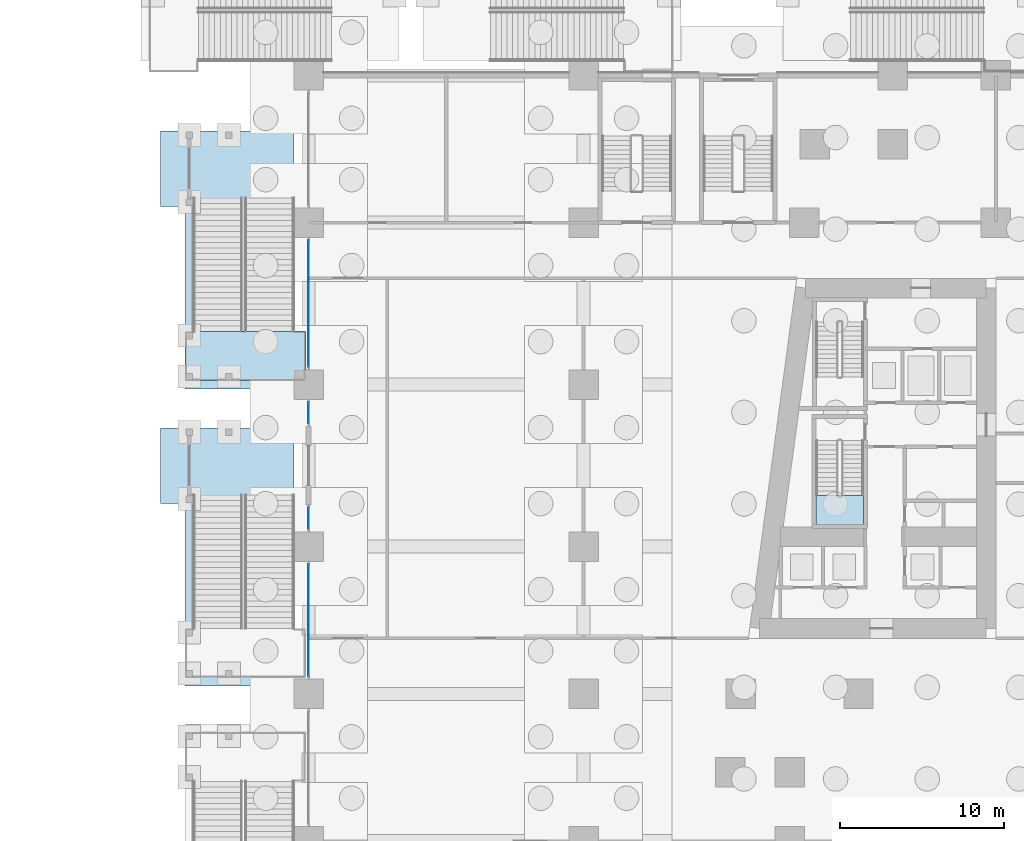
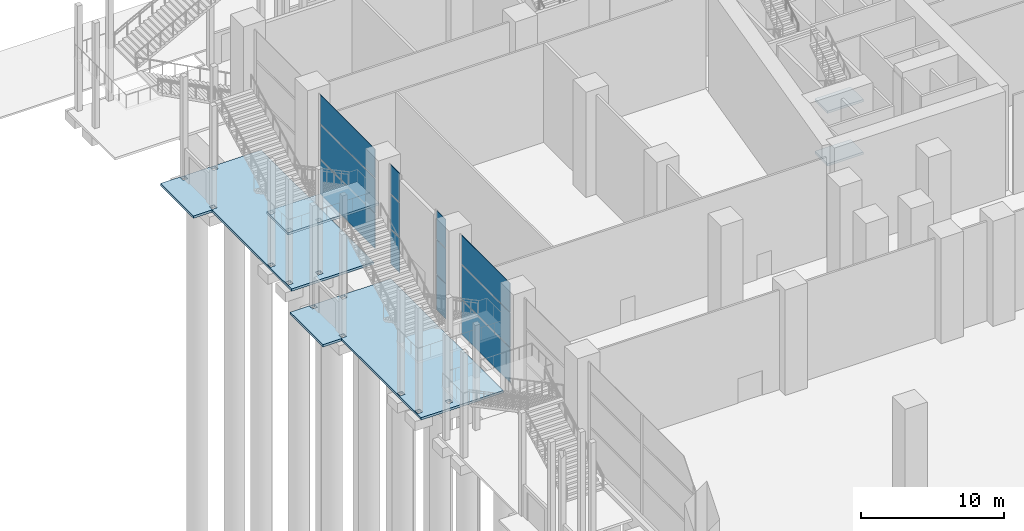
# One storey, part 35 of 72: 12 plates, 5 slabs, 6 elements without a shape of their own.
"""IFC4 building model written with IfcOpenShell, lengths in metres."""

from ifc_helpers import new_model, si_unit, direction, frame, origin, origin_2d, place, context, subcontext, project, spatial, polyline, rectangle, outline, extrude, material, layer, layer_set, type_object, element, aggregate, save


model = new_model("IFC4")

# Units and contexts
model_context = context("Model", 3, precision=1e-05, world=origin(), true_north=direction((0.0, 1.0)))
body_context = subcontext(model_context, "Body", "Model", "MODEL_VIEW")
ifc_project = project(units=[si_unit("LENGTHUNIT", "METRE"), si_unit("AREAUNIT", "SQUARE_METRE"), si_unit("VOLUMEUNIT", "CUBIC_METRE"), si_unit("PLANEANGLEUNIT", "RADIAN"), si_unit("MASSUNIT", "GRAM", prefix="KILO")], contexts=[model_context])

# Site, building, storey
site_placement = place(None, origin())
site = spatial("IfcSite", under=ifc_project, at=site_placement, CompositionType="ELEMENT")
building_placement = place(site_placement, origin())
building = spatial("IfcBuilding", under=site, at=building_placement, Name="Candeia Pilgrim Tower and Theatre", CompositionType="ELEMENT")
storey_placement = place(building_placement, origin())
storey = spatial("IfcBuildingStorey", under=building, at=storey_placement, Name="L00", CompositionType="ELEMENT", Elevation=0.0)

# Curtain wall, plates
ifc_material_1 = material(Name="Aluminium framed podium glazing", Category="aluminium")
curtain_wall_type = type_object("IfcCurtainWallType", Name="CW-P curtain wall", PredefinedType="NOTDEFINED", material=ifc_material_1)
curtain_wall_1_placement = place(storey_placement, origin())
curtain_wall_1 = element("IfcCurtainWall", 1, at=curtain_wall_1_placement, inside=storey, type_object=curtain_wall_type, Name="Curtain wall CW-P L00.030", PredefinedType="NOTDEFINED")
ifc_material_2 = material(Name="Laminated low-iron glass 2 x 8 mm", Category="glass")
ifc_layer_1 = layer(ifc_material_2, 0.035888671875)
ifc_layer_set_1 = layer_set([ifc_layer_1], Name="CW-P glass panel 36")
plate_type = type_object("IfcPlateType", Name="CW-P glass panel 36", PredefinedType="CURTAIN_PANEL", material=ifc_layer_set_1)
plate_1_placement = place(storey_placement, frame((58.800048828125, 111.5, 0.0), z_axis=(0.0, 0.0, 1.0), x_axis=(0.0, 1.0, 0.0)))
plate_1 = element("IfcPlate", 2, at=plate_1_placement, type_object=plate_type, Name="CW-P panel 1.1", PredefinedType="CURTAIN_PANEL", context=body_context, shape_type="SweptSolid", body=[
    extrude(rectangle(XDim=6.820068359375, YDim=0.035888671875, at=origin_2d()), origin(), (0.0, 0.0, 1.0), 2.9599609375),
])
plate_2_placement = place(storey_placement, frame((58.800048828125, 111.5, 3.0400390625), z_axis=(0.0, 0.0, 1.0), x_axis=(0.0, 1.0, 0.0)))
plate_2 = element("IfcPlate", 3, at=plate_2_placement, type_object=plate_type, Name="CW-P panel 1.2", PredefinedType="CURTAIN_PANEL", context=body_context, shape_type="SweptSolid", body=[
    extrude(rectangle(XDim=6.820068359375, YDim=0.035888671875, at=origin_2d()), origin(), (0.0, 0.0, 1.0), 2.919921875),
])
plate_3_placement = place(storey_placement, frame((58.800048828125, 111.5, 6.0400390625), z_axis=(0.0, 0.0, 1.0), x_axis=(0.0, 1.0, 0.0)))
plate_3 = element("IfcPlate", 4, at=plate_3_placement, type_object=plate_type, Name="CW-P panel 1.3", PredefinedType="CURTAIN_PANEL", context=body_context, shape_type="SweptSolid", body=[
    extrude(rectangle(XDim=6.820068359375, YDim=0.035888671875, at=origin_2d()), origin(), (0.0, 0.0, 1.0), 2.4599609375),
])
aggregate(curtain_wall_1, [plate_1, plate_2, plate_3])

curtain_wall_2_placement = place(storey_placement, origin())
curtain_wall_2 = element("IfcCurtainWall", 5, at=curtain_wall_2_placement, inside=storey, type_object=curtain_wall_type, Name="Curtain wall CW-P L00.040", PredefinedType="NOTDEFINED")
plate_4_placement = place(storey_placement, frame((58.800048828125, 117.72509765625, 0.0), z_axis=(0.0, 0.0, 1.0), x_axis=(0.0, 1.0, 0.0)))
plate_4 = element("IfcPlate", 6, at=plate_4_placement, type_object=plate_type, Name="CW-P panel 1.1", PredefinedType="CURTAIN_PANEL", context=body_context, shape_type="SweptSolid", body=[
    extrude(rectangle(XDim=1.27001953125, YDim=0.035888671875, at=origin_2d()), origin(), (0.0, 0.0, 1.0), 2.9599609375),
])
plate_5_placement = place(storey_placement, frame((58.800048828125, 117.72509765625, 3.0400390625), z_axis=(0.0, 0.0, 1.0), x_axis=(0.0, 1.0, 0.0)))
plate_5 = element("IfcPlate", 7, at=plate_5_placement, type_object=plate_type, Name="CW-P panel 1.2", PredefinedType="CURTAIN_PANEL", context=body_context, shape_type="SweptSolid", body=[
    extrude(rectangle(XDim=1.27001953125, YDim=0.035888671875, at=origin_2d()), origin(), (0.0, 0.0, 1.0), 2.919921875),
])
plate_6_placement = place(storey_placement, frame((58.800048828125, 117.72509765625, 6.0400390625), z_axis=(0.0, 0.0, 1.0), x_axis=(0.0, 1.0, 0.0)))
plate_6 = element("IfcPlate", 8, at=plate_6_placement, type_object=plate_type, Name="CW-P panel 1.3", PredefinedType="CURTAIN_PANEL", context=body_context, shape_type="SweptSolid", body=[
    extrude(rectangle(XDim=1.27001953125, YDim=0.035888671875, at=origin_2d()), origin(), (0.0, 0.0, 1.0), 2.4599609375),
])
aggregate(curtain_wall_2, [plate_4, plate_5, plate_6])

curtain_wall_3_placement = place(storey_placement, origin())
curtain_wall_3 = element("IfcCurtainWall", 9, at=curtain_wall_3_placement, inside=storey, type_object=curtain_wall_type, Name="Curtain wall CW-P L00.041", PredefinedType="NOTDEFINED")
plate_7_placement = place(storey_placement, frame((58.800048828125, 124.175048828125, 0.0), z_axis=(0.0, 0.0, 1.0), x_axis=(0.0, 1.0, 0.0)))
plate_7 = element("IfcPlate", 10, at=plate_7_placement, type_object=plate_type, Name="CW-P panel 1.1", PredefinedType="CURTAIN_PANEL", context=body_context, shape_type="SweptSolid", body=[
    extrude(rectangle(XDim=1.27001953125, YDim=0.035888671875, at=origin_2d()), origin(), (0.0, 0.0, 1.0), 2.9599609375),
])
plate_8_placement = place(storey_placement, frame((58.800048828125, 124.175048828125, 3.0400390625), z_axis=(0.0, 0.0, 1.0), x_axis=(0.0, 1.0, 0.0)))
plate_8 = element("IfcPlate", 11, at=plate_8_placement, type_object=plate_type, Name="CW-P panel 1.2", PredefinedType="CURTAIN_PANEL", context=body_context, shape_type="SweptSolid", body=[
    extrude(rectangle(XDim=1.27001953125, YDim=0.035888671875, at=origin_2d()), origin(), (0.0, 0.0, 1.0), 2.919921875),
])
plate_9_placement = place(storey_placement, frame((58.800048828125, 124.175048828125, 6.0400390625), z_axis=(0.0, 0.0, 1.0), x_axis=(0.0, 1.0, 0.0)))
plate_9 = element("IfcPlate", 12, at=plate_9_placement, type_object=plate_type, Name="CW-P panel 1.3", PredefinedType="CURTAIN_PANEL", context=body_context, shape_type="SweptSolid", body=[
    extrude(rectangle(XDim=1.27001953125, YDim=0.035888671875, at=origin_2d()), origin(), (0.0, 0.0, 1.0), 2.4599609375),
])
aggregate(curtain_wall_3, [plate_7, plate_8, plate_9])

curtain_wall_4_placement = place(storey_placement, origin())
curtain_wall_4 = element("IfcCurtainWall", 13, at=curtain_wall_4_placement, inside=storey, type_object=curtain_wall_type, Name="Curtain wall CW-P L00.050", PredefinedType="NOTDEFINED")
plate_10_placement = place(storey_placement, frame((58.800048828125, 130.85009765625, 0.0), z_axis=(0.0, 0.0, 1.0), x_axis=(0.0, 1.0, 0.0)))
plate_10 = element("IfcPlate", 14, at=plate_10_placement, type_object=plate_type, Name="CW-P panel 1.1", PredefinedType="CURTAIN_PANEL", context=body_context, shape_type="SweptSolid", body=[
    extrude(rectangle(XDim=7.719970703125, YDim=0.035888671875, at=origin_2d()), origin(), (0.0, 0.0, 1.0), 2.9599609375),
])
plate_11_placement = place(storey_placement, frame((58.800048828125, 130.85009765625, 3.0400390625), z_axis=(0.0, 0.0, 1.0), x_axis=(0.0, 1.0, 0.0)))
plate_11 = element("IfcPlate", 15, at=plate_11_placement, type_object=plate_type, Name="CW-P panel 1.2", PredefinedType="CURTAIN_PANEL", context=body_context, shape_type="SweptSolid", body=[
    extrude(rectangle(XDim=7.719970703125, YDim=0.035888671875, at=origin_2d()), origin(), (0.0, 0.0, 1.0), 2.919921875),
])
plate_12_placement = place(storey_placement, frame((58.800048828125, 130.85009765625, 6.0400390625), z_axis=(0.0, 0.0, 1.0), x_axis=(0.0, 1.0, 0.0)))
plate_12 = element("IfcPlate", 16, at=plate_12_placement, type_object=plate_type, Name="CW-P panel 1.3", PredefinedType="CURTAIN_PANEL", context=body_context, shape_type="SweptSolid", body=[
    extrude(rectangle(XDim=7.719970703125, YDim=0.035888671875, at=origin_2d()), origin(), (0.0, 0.0, 1.0), 2.4599609375),
])
aggregate(curtain_wall_4, [plate_10, plate_11, plate_12])

# Stair, slab
ifc_material_3 = material(Name="Concrete C40/50", Category="concrete")
stair_type_1 = type_object("IfcStairType", Name="ST-EXT external escape stair", PredefinedType="HALF_TURN_STAIR", material=ifc_material_3)
stair_1_placement = place(storey_placement, origin())
stair_1 = element("IfcStair", 17, at=stair_1_placement, inside=storey, type_object=stair_type_1, Name="L00 External escape stair ES13", PredefinedType="HALF_TURN_STAIR")
ifc_layer_2 = layer(ifc_material_3, 0.199951171875)
ifc_layer_set_2 = layer_set([ifc_layer_2], Name="SL-EXT stair landing")
slab_type_1 = type_object("IfcSlabType", Name="SL-EXT stair landing", PredefinedType="LANDING", material=ifc_layer_set_2)
slab_1_placement = place(storey_placement, frame((0.0, 0.0, 4.300048828125)))
slab_1 = element("IfcSlab", 18, at=slab_1_placement, type_object=slab_type_1, Name="L00 External escape stair ES13 landing", PredefinedType="LANDING", context=body_context, shape_type="SweptSolid", body=[
    extrude(outline(polyline([(58.60009765625, 129.159912109375), (58.60009765625, 126.139892578125), (51.25, 126.139892578125), (51.25, 129.159912109375), (58.60009765625, 129.159912109375)]), holes=[polyline([(51.300048828125, 128.68994140625), (51.699951171875, 128.68994140625), (51.699951171875, 129.090087890625), (51.300048828125, 129.090087890625), (51.300048828125, 128.68994140625)]), polyline([(51.300048828125, 126.18994140625), (51.699951171875, 126.18994140625), (51.699951171875, 126.590087890625), (51.300048828125, 126.590087890625), (51.300048828125, 126.18994140625)]), polyline([(53.72509765625, 126.18994140625), (54.125, 126.18994140625), (54.125, 126.590087890625), (53.72509765625, 126.590087890625), (53.72509765625, 126.18994140625)])]), origin(), (0.0, 0.0, 1.0), 0.199951171875),
])
aggregate(stair_1, [slab_1])

# Stair, slabs
stair_type_2 = type_object("IfcStairType", Name="ST-TWR dog-leg escape stair", PredefinedType="HALF_TURN_STAIR", material=ifc_material_3)
stair_2_placement = place(storey_placement, origin())
stair_2 = element("IfcStair", 19, at=stair_2_placement, inside=storey, type_object=stair_type_2, Name="L00 Escape stair ST1", PredefinedType="HALF_TURN_STAIR")
ifc_layer_3 = layer(ifc_material_3, 0.199951171875)
ifc_layer_set_3 = layer_set([ifc_layer_3], Name="SL-LANDING stair landing")
slab_type_2 = type_object("IfcSlabType", Name="SL-LANDING stair landing", PredefinedType="LANDING", material=ifc_layer_set_3)
slab_2_placement = place(storey_placement, frame((0.0, 0.0, 2.050048828125)))
slab_2 = element("IfcSlab", 20, at=slab_2_placement, type_object=slab_type_2, Name="ST1 landing 1", PredefinedType="LANDING", context=body_context, shape_type="SweptSolid", body=[
    extrude(outline(polyline([(89.802001953125, 119.114990234375), (89.802001953125, 117.324951171875), (92.701904296875, 117.324951171875), (92.701904296875, 119.114990234375), (89.802001953125, 119.114990234375)])), origin(), (0.0, 0.0, 1.0), 0.199951171875),
])
slab_3_placement = place(storey_placement, frame((0.0, 0.0, 6.550048828125)))
slab_3 = element("IfcSlab", 21, at=slab_3_placement, type_object=slab_type_2, Name="ST1 landing 3", PredefinedType="LANDING", context=body_context, shape_type="SweptSolid", body=[
    extrude(outline(polyline([(89.802001953125, 119.114990234375), (89.802001953125, 117.324951171875), (92.701904296875, 117.324951171875), (92.701904296875, 119.114990234375), (89.802001953125, 119.114990234375)])), origin(), (0.0, 0.0, 1.0), 0.199951171875),
])
aggregate(stair_2, [slab_2, slab_3])

# Slabs
ifc_material_4 = material(Name="Concrete C35/45", Category="concrete")
ifc_layer_4 = layer(ifc_material_4, 0.199951171875)
ifc_layer_set_4 = layer_set([ifc_layer_4], Name="Stair ground slab 200")
slab_type_3 = type_object("IfcSlabType", Name="Stair ground slab 200", PredefinedType="BASESLAB", material=ifc_layer_set_4)
slab_4_placement = place(storey_placement, frame((0.0, 0.0, -0.199951171875)))
element("IfcSlab", 22, at=slab_4_placement, inside=storey, type_object=slab_type_3, Name="External escape stair ES13 ground slab", PredefinedType="BASESLAB", context=body_context, shape_type="SweptSolid", body=[
    extrude(outline(polyline([(51.25, 125.639892578125), (51.25, 136.800048828125), (49.75, 136.800048828125), (49.75, 141.39990234375), (57.89990234375, 141.39990234375), (57.89990234375, 137.300048828125), (57.89990234375, 136.800048828125), (57.89990234375, 125.639892578125), (51.25, 125.639892578125)]), holes=[polyline([(51.699951171875, 126.18994140625), (51.699951171875, 126.590087890625), (51.300048828125, 126.590087890625), (51.300048828125, 126.18994140625), (51.699951171875, 126.18994140625)]), polyline([(53.72509765625, 126.18994140625), (54.125, 126.18994140625), (54.125, 126.590087890625), (53.72509765625, 126.590087890625), (53.72509765625, 126.18994140625)]), polyline([(51.300048828125, 128.68994140625), (51.699951171875, 128.68994140625), (51.699951171875, 129.090087890625), (51.300048828125, 129.090087890625), (51.300048828125, 128.68994140625)]), polyline([(51.699951171875, 136.85009765625), (51.699951171875, 137.25), (51.300048828125, 137.25), (51.300048828125, 136.85009765625), (51.699951171875, 136.85009765625)]), polyline([(51.300048828125, 140.949951171875), (51.699951171875, 140.949951171875), (51.699951171875, 141.35009765625), (51.300048828125, 141.35009765625), (51.300048828125, 140.949951171875)]), polyline([(53.72509765625, 140.949951171875), (54.125, 140.949951171875), (54.125, 141.35009765625), (53.72509765625, 141.35009765625), (53.72509765625, 140.949951171875)])]), origin(), (0.0, 0.0, 1.0), 0.199951171875),
])
slab_5_placement = place(storey_placement, frame((0.0, 0.0, -0.199951171875)))
element("IfcSlab", 23, at=slab_5_placement, inside=storey, type_object=slab_type_3, Name="External escape stair ES15 ground slab", PredefinedType="BASESLAB", context=body_context, shape_type="SweptSolid", body=[
    extrude(outline(polyline([(51.25, 107.489990234375), (51.25, 118.64990234375), (49.75, 118.64990234375), (49.75, 123.25), (57.89990234375, 123.25), (57.89990234375, 119.14990234375), (57.89990234375, 118.64990234375), (57.89990234375, 107.489990234375), (51.25, 107.489990234375)]), holes=[polyline([(51.699951171875, 108.0400390625), (51.699951171875, 108.43994140625), (51.300048828125, 108.43994140625), (51.300048828125, 108.0400390625), (51.699951171875, 108.0400390625)]), polyline([(53.72509765625, 108.0400390625), (54.125, 108.0400390625), (54.125, 108.43994140625), (53.72509765625, 108.43994140625), (53.72509765625, 108.0400390625)]), polyline([(51.300048828125, 110.5400390625), (51.699951171875, 110.5400390625), (51.699951171875, 110.93994140625), (51.300048828125, 110.93994140625), (51.300048828125, 110.5400390625)]), polyline([(51.699951171875, 118.699951171875), (51.699951171875, 119.10009765625), (51.300048828125, 119.10009765625), (51.300048828125, 118.699951171875), (51.699951171875, 118.699951171875)]), polyline([(51.300048828125, 122.800048828125), (51.699951171875, 122.800048828125), (51.699951171875, 123.199951171875), (51.300048828125, 123.199951171875), (51.300048828125, 122.800048828125)]), polyline([(53.72509765625, 122.800048828125), (54.125, 122.800048828125), (54.125, 123.199951171875), (53.72509765625, 123.199951171875), (53.72509765625, 122.800048828125)])]), origin(), (0.0, 0.0, 1.0), 0.199951171875),
])

save(model, "model.ifc")
